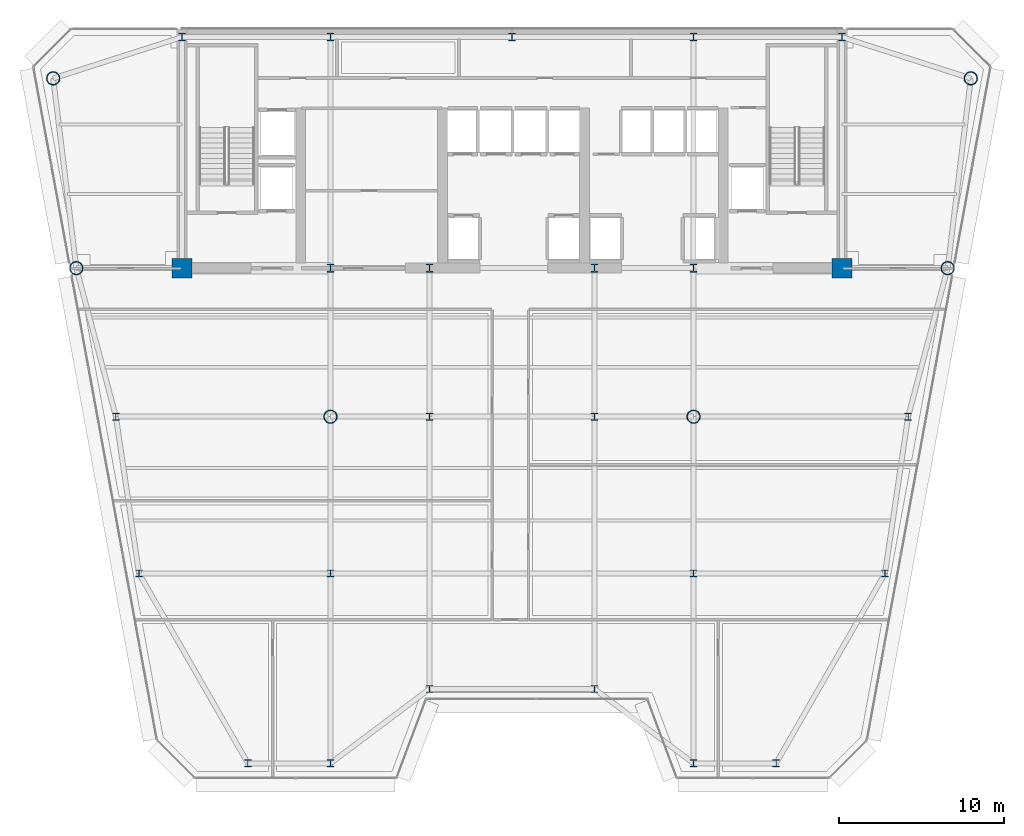
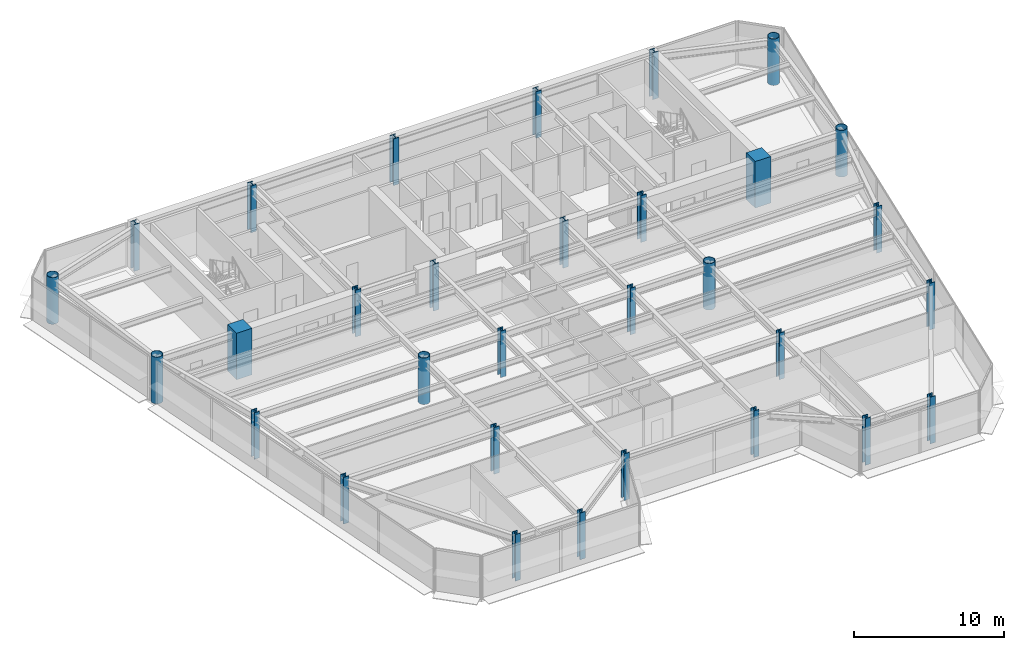
# One storey, part 1 of 16: 31 columns.
"""IFC4 building model written with IfcOpenShell, lengths in metres."""

from ifc_helpers import new_model, si_unit, direction, frame, origin, origin_2d, place, context, subcontext, project, spatial, rectangle, hollow_circle, i_section, extrude, source, transform, mapped, material, material_profile, profile_set, type_object, element, save


model = new_model("IFC4")

# Units and contexts
model_context = context("Model", 3, precision=1e-05, world=origin(), true_north=direction((0.0, 1.0)))
body_context = subcontext(model_context, "Body", "Model", "MODEL_VIEW")
ifc_project = project(units=[si_unit("LENGTHUNIT", "METRE"), si_unit("AREAUNIT", "SQUARE_METRE"), si_unit("VOLUMEUNIT", "CUBIC_METRE"), si_unit("PLANEANGLEUNIT", "RADIAN"), si_unit("MASSUNIT", "GRAM", prefix="KILO")], contexts=[model_context])

# Site, building, storey
site_placement = place(None, origin())
site = spatial("IfcSite", under=ifc_project, at=site_placement, CompositionType="ELEMENT")
building_placement = place(site_placement, origin())
building = spatial("IfcBuilding", under=site, at=building_placement, Name="Vaeldorn Concourse Tower", CompositionType="ELEMENT")
storey_placement = place(building_placement, frame((0.0, 0.0, 191.800048828125)))
storey = spatial("IfcBuildingStorey", under=building, at=storey_placement, Name="L49", CompositionType="ELEMENT", Elevation=191.800048828125)

# Columns
ifc_material_1 = material(Name="Concrete C50/60", Category="concrete")
ifc_material_profile_1 = material_profile(ifc_material_1, rectangle(XDim=1.199951171875, YDim=1.199951171875, at=origin_2d()), Name="RC 1200x1200")
ifc_profile_set_1 = profile_set([ifc_material_profile_1], Name="Concrete C50/60")
column_type_1 = type_object("IfcColumnType", Name="COL-RC1200", PredefinedType="COLUMN", material=ifc_profile_set_1)
shared_shape_1 = source(origin(), body_context, "Body", "SweptSolid", [
    extrude(rectangle(XDim=1.199951171875, YDim=1.199951171875, at=origin_2d()), origin(), (0.0, 0.0, 1.0), 3.800048828125),
])
for number, where, z_axis, x_axis, name in (
    (1, (14.0, 36.5, 0.0), (0.0, 0.0, 1.0), (1.0, 0.0, 0.0), "Column C-FC1 L49"),
    (2, (54.0, 36.5, 0.0), (0.0, 0.0, 1.0), (1.0, 0.0, 0.0), "Column C-FC6 L49"),
):
    element("IfcColumn", number, at=place(storey_placement, frame(where, z_axis=z_axis, x_axis=x_axis)), inside=storey, type_object=column_type_1, Name=name, PredefinedType="COLUMN", context=body_context, shape_type="MappedRepresentation", body=[
        mapped(shared_shape_1, transform((0.0, 0.0, 0.0), scale=1.0)),
    ])
ifc_material_2 = material(Name="Steel S460", Category="steel")
ifc_material_profile_2 = material_profile(ifc_material_2, i_section(OverallWidth=0.431884765625, OverallDepth=0.498046875, WebThickness=0.054931640625, FlangeThickness=0.068115234375, FilletRadius=0.014892578125, at=origin_2d()), Name="HD 400x744")
ifc_profile_set_2 = profile_set([ifc_material_profile_2], Name="Steel S460")
column_type_2 = type_object("IfcColumnType", Name="COL-HD744", PredefinedType="COLUMN", material=ifc_profile_set_2)
shared_shape_2 = source(origin(), body_context, "Body", "SweptSolid", [
    extrude(i_section(OverallWidth=0.431884765625, OverallDepth=0.498046875, WebThickness=0.054931640625, FlangeThickness=0.068115234375, FilletRadius=0.014892578125, at=origin_2d()), origin(), (0.0, 0.0, 1.0), 3.800048828125),
])
for number, where, z_axis, x_axis, name in (
    (3, (23.0, 36.5, 0.0), (0.0, 0.0, 1.0), (1.0, 0.0, 0.0), "Column C-FC2 L49"),
    (4, (29.0, 36.5, 0.0), (0.0, 0.0, 1.0), (1.0, 0.0, 0.0), "Column C-FC3 L49"),
    (5, (39.0, 36.5, 0.0), (0.0, 0.0, 1.0), (1.0, 0.0, 0.0), "Column C-FC4 L49"),
    (6, (45.0, 36.5, 0.0), (0.0, 0.0, 1.0), (1.0, 0.0, 0.0), "Column C-FC5 L49"),
    (7, (14.0, 50.5, 0.0), (0.0, 0.0, 1.0), (1.0, 0.0, 0.0), "Column C-HC1 L49"),
    (8, (23.0, 50.5, 0.0), (0.0, 0.0, 1.0), (1.0, 0.0, 0.0), "Column C-HC2 L49"),
    (9, (34.0, 50.5, 0.0), (0.0, 0.0, 1.0), (1.0, 0.0, 0.0), "Column C-HC3 L49"),
    (10, (45.0, 50.5, 0.0), (0.0, 0.0, 1.0), (1.0, 0.0, 0.0), "Column C-HC4 L49"),
    (11, (54.0, 50.5, 0.0), (0.0, 0.0, 1.0), (1.0, 0.0, 0.0), "Column C-HC5 L49"),
):
    element("IfcColumn", number, at=place(storey_placement, frame(where, z_axis=z_axis, x_axis=x_axis)), inside=storey, type_object=column_type_2, Name=name, PredefinedType="COLUMN", context=body_context, shape_type="MappedRepresentation", body=[
        mapped(shared_shape_2, transform((0.0, 0.0, 0.0), scale=1.0)),
    ])
ifc_material_profile_3 = material_profile(ifc_material_2, hollow_circle(Radius=0.406494140625, WallThickness=0.0400390625, at=origin_2d()), Name="CHS 813x40")
ifc_profile_set_3 = profile_set([ifc_material_profile_3], Name="Steel S460")
column_type_3 = type_object("IfcColumnType", Name="COL-CHS813", PredefinedType="COLUMN", material=ifc_profile_set_3)
shared_shape_3 = source(origin(), body_context, "Body", "SweptSolid", [
    extrude(hollow_circle(Radius=0.406494140625, WallThickness=0.0400390625, at=origin_2d()), origin(), (0.0, 0.0, 1.0), 3.800048828125),
])
for number, where, z_axis, x_axis, name in (
    (12, (6.199951171875, 48.0, 0.0), (0.0, 0.0, 1.0), (1.0, 0.0, 0.0), "Column C-NW1 L49"),
    (13, (7.60009765625, 36.5, 0.0), (0.0, 0.0, 1.0), (1.0, 0.0, 0.0), "Column C-NW2 L49"),
    (14, (61.800048828125, 48.0, 0.0), (0.0, 0.0, 1.0), (1.0, 0.0, 0.0), "Column C-NE1 L49"),
    (15, (60.39990234375, 36.5, 0.0), (0.0, 0.0, 1.0), (1.0, 0.0, 0.0), "Column C-NE2 L49"),
    (16, (23.0, 27.5, 0.0), (0.0, 0.0, 1.0), (1.0, 0.0, 0.0), "Column C-TW1 L49"),
    (17, (45.0, 27.5, 0.0), (0.0, 0.0, 1.0), (1.0, 0.0, 0.0), "Column C-TW4 L49"),
):
    element("IfcColumn", number, at=place(storey_placement, frame(where, z_axis=z_axis, x_axis=x_axis)), inside=storey, type_object=column_type_3, Name=name, PredefinedType="COLUMN", context=body_context, shape_type="MappedRepresentation", body=[
        mapped(shared_shape_3, transform((0.0, 0.0, 0.0), scale=1.0)),
    ])
ifc_material_3 = material(Name="Steel S355", Category="steel")
ifc_material_profile_4 = material_profile(ifc_material_3, i_section(OverallWidth=0.412109375, OverallDepth=0.43505859375, WebThickness=0.035888671875, FlangeThickness=0.050048828125, FilletRadius=0.014892578125, at=origin_2d()), Name="HD 400x463")
ifc_profile_set_4 = profile_set([ifc_material_profile_4], Name="Steel S355")
column_type_4 = type_object("IfcColumnType", Name="COL-HD463F", PredefinedType="COLUMN", material=ifc_profile_set_4)
shared_shape_4 = source(origin(), body_context, "Body", "SweptSolid", [
    extrude(i_section(OverallWidth=0.412109375, OverallDepth=0.43505859375, WebThickness=0.035888671875, FlangeThickness=0.050048828125, FilletRadius=0.014892578125, at=origin_2d()), origin(), (0.0, 0.0, 1.0), 3.800048828125),
])
for number, where, z_axis, x_axis, name in (
    (18, (10.0, 27.5, 0.0), (0.0, 0.0, 1.0), (1.0, 0.0, 0.0), "Column C-FLW1 L49"),
    (19, (11.39990234375, 18.0, 0.0), (0.0, 0.0, 1.0), (1.0, 0.0, 0.0), "Column C-FLW2 L49"),
    (20, (58.0, 27.5, 0.0), (0.0, 0.0, 1.0), (1.0, 0.0, 0.0), "Column C-FLE1 L49"),
    (21, (56.60009765625, 18.0, 0.0), (0.0, 0.0, 1.0), (1.0, 0.0, 0.0), "Column C-FLE2 L49"),
):
    element("IfcColumn", number, at=place(storey_placement, frame(where, z_axis=z_axis, x_axis=x_axis)), inside=storey, type_object=column_type_4, Name=name, PredefinedType="COLUMN", context=body_context, shape_type="MappedRepresentation", body=[
        mapped(shared_shape_4, transform((0.0, 0.0, 0.0), scale=1.0)),
    ])
ifc_material_profile_5 = material_profile(ifc_material_3, i_section(OverallWidth=0.412109375, OverallDepth=0.43505859375, WebThickness=0.035888671875, FlangeThickness=0.050048828125, FilletRadius=0.014892578125, at=origin_2d()), Name="HD 400x463")
ifc_profile_set_5 = profile_set([ifc_material_profile_5], Name="Steel S355")
column_type_5 = type_object("IfcColumnType", Name="COL-HD463T", PredefinedType="COLUMN", material=ifc_profile_set_5)
shared_shape_5 = source(origin(), body_context, "Body", "SweptSolid", [
    extrude(i_section(OverallWidth=0.412109375, OverallDepth=0.43505859375, WebThickness=0.035888671875, FlangeThickness=0.050048828125, FilletRadius=0.014892578125, at=origin_2d()), origin(), (0.0, 0.0, 1.0), 3.800048828125),
])
for number, where, z_axis, x_axis, name in (
    (22, (29.0, 27.5, 0.0), (0.0, 0.0, 1.0), (1.0, 0.0, 0.0), "Column C-TW2 L49"),
    (23, (39.0, 27.5, 0.0), (0.0, 0.0, 1.0), (1.0, 0.0, 0.0), "Column C-TW3 L49"),
    (24, (23.0, 18.0, 0.0), (0.0, 0.0, 1.0), (1.0, 0.0, 0.0), "Column C-TW5 L49"),
    (25, (45.0, 18.0, 0.0), (0.0, 0.0, 1.0), (1.0, 0.0, 0.0), "Column C-TW6 L49"),
    (26, (18.0, 6.5, 0.0), (0.0, 0.0, 1.0), (1.0, 0.0, 0.0), "Column C-SF1 L49"),
    (27, (23.0, 6.5, 0.0), (0.0, 0.0, 1.0), (1.0, 0.0, 0.0), "Column C-SF2 L49"),
    (28, (29.0, 11.0, 0.0), (0.0, 0.0, 1.0), (1.0, 0.0, 0.0), "Column C-SF3 L49"),
    (29, (39.0, 11.0, 0.0), (0.0, 0.0, 1.0), (1.0, 0.0, 0.0), "Column C-SF4 L49"),
    (30, (45.0, 6.5, 0.0), (0.0, 0.0, 1.0), (1.0, 0.0, 0.0), "Column C-SF5 L49"),
    (31, (50.0, 6.5, 0.0), (0.0, 0.0, 1.0), (1.0, 0.0, 0.0), "Column C-SF6 L49"),
):
    element("IfcColumn", number, at=place(storey_placement, frame(where, z_axis=z_axis, x_axis=x_axis)), inside=storey, type_object=column_type_5, Name=name, PredefinedType="COLUMN", context=body_context, shape_type="MappedRepresentation", body=[
        mapped(shared_shape_5, transform((0.0, 0.0, 0.0), scale=1.0)),
    ])

save(model, "model.ifc")
